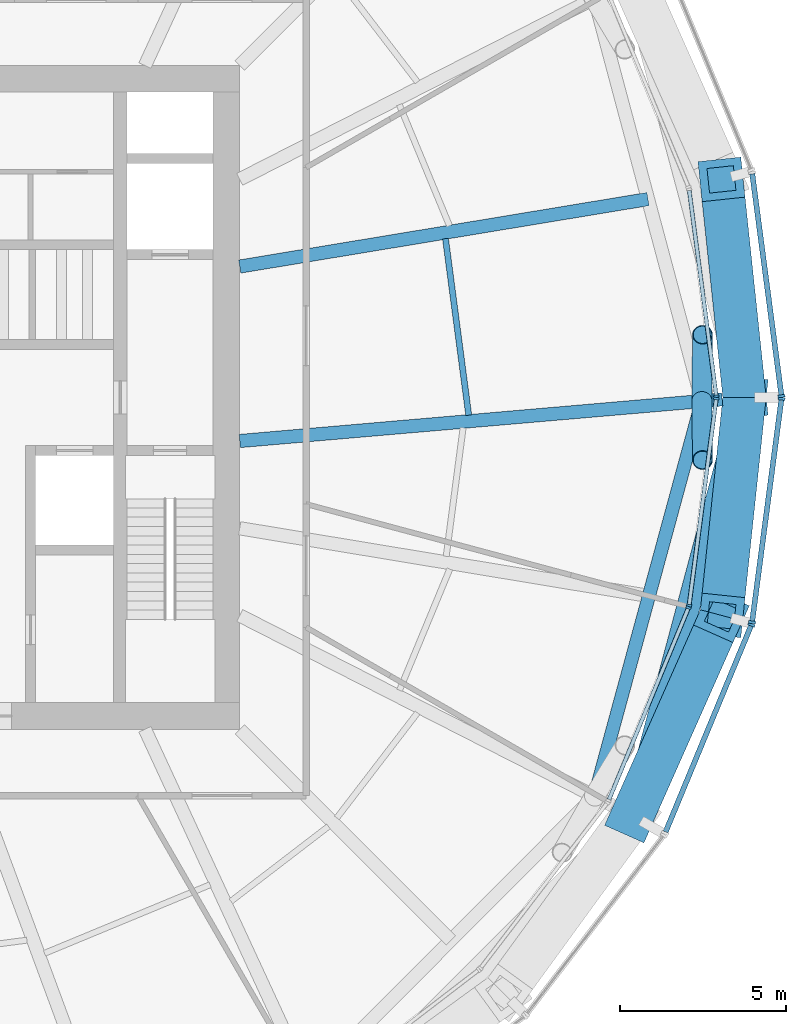
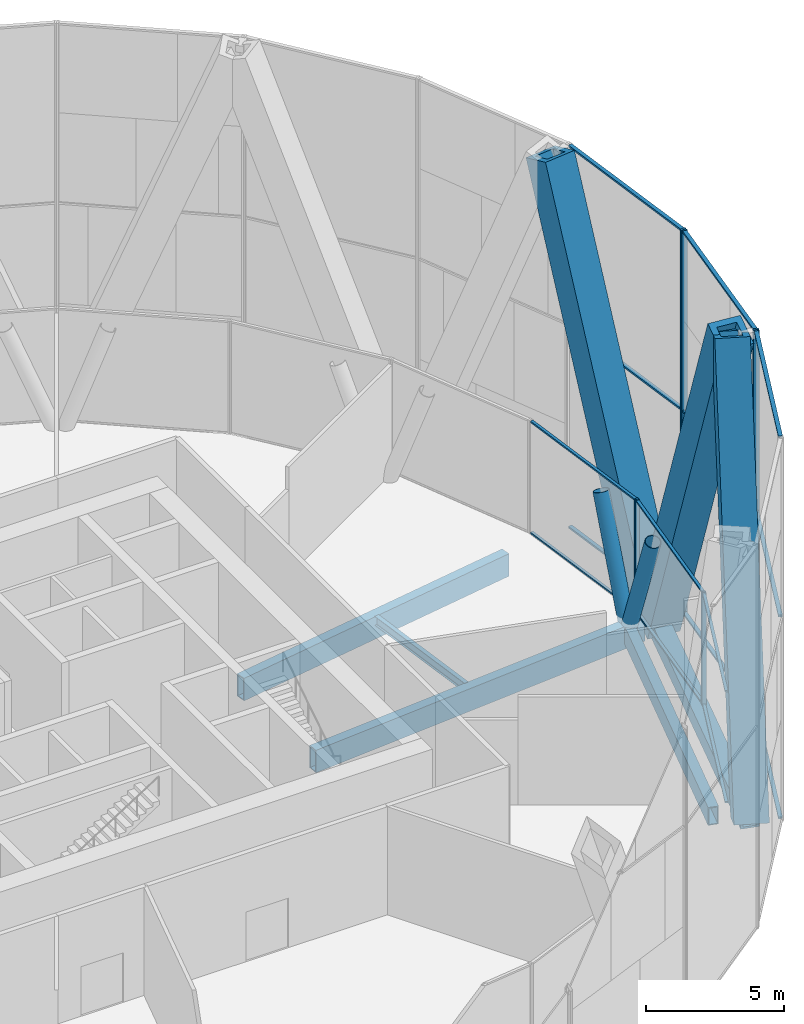
# One storey, part 5 of 16: 28 members, 5 beams, 6 elements without a shape of their own.
"""IFC4 building model written with IfcOpenShell, lengths in metres."""

from ifc_helpers import new_model, si_unit, direction, frame, origin, origin_2d, place, context, subcontext, project, spatial, rectangle, hollow_rectangle, hollow_circle, i_section, extrude, material, material_profile, profile_set, type_object, element, aggregate, save


model = new_model("IFC4")

# Units and contexts
model_context = context("Model", 3, precision=1e-05, world=origin(), true_north=direction((0.0, 1.0)))
body_context = subcontext(model_context, "Body", "Model", "MODEL_VIEW")
ifc_project = project(units=[si_unit("LENGTHUNIT", "METRE"), si_unit("AREAUNIT", "SQUARE_METRE"), si_unit("VOLUMEUNIT", "CUBIC_METRE"), si_unit("PLANEANGLEUNIT", "RADIAN"), si_unit("MASSUNIT", "GRAM", prefix="KILO")], contexts=[model_context])

# Site, building, storey
site_placement = place(None, origin())
site = spatial("IfcSite", under=ifc_project, at=site_placement, CompositionType="ELEMENT")
building_placement = place(site_placement, origin())
building = spatial("IfcBuilding", under=site, at=building_placement, Name="Golbaran Civic Tower", CompositionType="ELEMENT")
storey_placement = place(building_placement, frame((0.0, 0.0, 85.0)))
storey = spatial("IfcBuildingStorey", under=building, at=storey_placement, Name="L20", CompositionType="ELEMENT", Elevation=85.0)

# Members
ifc_material_1 = material(Name="Steel S355", Category="steel")
ifc_material_profile_1 = material_profile(ifc_material_1, hollow_circle(Radius=0.304931640625, WallThickness=0.02490234375, at=origin_2d()), Name="CHS 610.0x25")
ifc_profile_set_1 = profile_set([ifc_material_profile_1], Name="Steel S355")
member_type_1 = type_object("IfcMemberType", Name="BELT TRUSS DIAGONAL CHS 610.0x25", PredefinedType="BRACE", material=ifc_profile_set_1)
member_1_placement = place(storey_placement, frame((23.92724609375, -0.11083984375, -0.60009765625), z_axis=(0.003717695693, 0.371270854032, 0.928517168223), x_axis=(-0.999949869353, 0.010012930674, 0.0)))
element("IfcMember", 1, at=member_1_placement, inside=storey, type_object=member_type_1, Name="Belt truss diagonal 0.00R L20", PredefinedType="BRACE", context=body_context, shape_type="SweptSolid", body=[
    extrude(hollow_circle(Radius=0.304931640625, WallThickness=0.02490234375, at=origin_2d()), origin(), (0.0, 0.0, 1.0), 5.385009765625),
])
member_2_placement = place(storey_placement, frame((23.92724609375, -0.11083984375, -0.60009765625), z_axis=(0.003772557663, -0.334975516414, 0.942219279792), x_axis=(0.999936587579, 0.011261475097, 0.0)))
element("IfcMember", 2, at=member_2_placement, inside=storey, type_object=member_type_1, Name="Belt truss diagonal 0.00L L20", PredefinedType="BRACE", context=body_context, shape_type="SweptSolid", body=[
    extrude(hollow_circle(Radius=0.304931640625, WallThickness=0.02490234375, at=origin_2d()), origin(), (0.0, 0.0, 1.0), 5.306640625),
])
ifc_material_profile_2 = material_profile(ifc_material_1, hollow_rectangle(XDim=1.300048828125, YDim=1.300048828125, WallThickness=0.25, at=origin_2d()), Name="BOX 1300x1300x250")
ifc_profile_set_2 = profile_set([ifc_material_profile_2], Name="Steel S355")
member_type_2 = type_object("IfcMemberType", Name="DIAGRID DIAGONAL BOX 1300x1300x250", PredefinedType="BRACE", material=ifc_profile_set_2)
for number, where, z_axis, x_axis, name in (
    (3, (25.2109375, 0.0, -0.7099609375), (-0.038096974541, 0.360181059018, 0.932104192274), (-0.994452673373, -0.105184981916, 0.0), "Diagonal D04-00R L20-L24"),
    (4, (25.2109375, 0.0, -0.7099609375), (-0.038096974541, -0.360181059018, 0.932104192274), (0.994452673373, -0.105184981916, 0.0), "Diagonal D04-00L L20-L24"),
    (5, (21.833251953125, -12.60546875, -0.7099609375), (0.14710040459, 0.330972563789, 0.932104410991), (-0.913810024533, 0.406141895231, 0.0), "Diagonal D04-11R L20-L24"),
):
    element("IfcMember", number, at=place(storey_placement, frame(where, z_axis=z_axis, x_axis=x_axis)), inside=storey, type_object=member_type_2, Name=name, PredefinedType="BRACE", context=body_context, shape_type="SweptSolid", body=[
        extrude(hollow_rectangle(XDim=1.300048828125, YDim=1.300048828125, WallThickness=0.25, at=origin_2d()), origin(), (0.0, 0.0, 1.0), 18.23828125),
    ])

# Beams
ifc_material_profile_3 = material_profile(ifc_material_1, hollow_rectangle(XDim=0.699951171875, YDim=0.699951171875, WallThickness=0.080078125, at=origin_2d()), Name="BOX 700x700x80")
ifc_profile_set_3 = profile_set([ifc_material_profile_3], Name="Steel S355")
beam_type_1 = type_object("IfcBeamType", Name="DIAGRID RING TIE BOX 700x700x80", PredefinedType="BEAM", material=ifc_profile_set_3)
beam_1_placement = place(storey_placement, frame((21.833251953125, -12.60546875, -0.7099609375), z_axis=(0.258823361579, 0.965924669682, 0.0), x_axis=(-0.965924669682, 0.258823361579, 0.0)))
element("IfcBeam", 6, at=beam_1_placement, inside=storey, type_object=beam_type_1, Name="Ring tie 330.00 L20", PredefinedType="BEAM", context=body_context, shape_type="SweptSolid", body=[
    extrude(hollow_rectangle(XDim=0.699951171875, YDim=0.699951171875, WallThickness=0.080078125, at=origin_2d()), origin(), (0.0, 0.0, 1.0), 13.050048828125),
])
ifc_material_profile_4 = material_profile(ifc_material_1, hollow_rectangle(XDim=0.39990234375, YDim=0.800048828125, WallThickness=0.0400390625, at=origin_2d()), Name="BOX 800x400x40")
ifc_profile_set_4 = profile_set([ifc_material_profile_4], Name="Steel S355")
beam_type_2 = type_object("IfcBeamType", Name="EDGE BEAM BOX 800x400x40", PredefinedType="BEAM", material=ifc_profile_set_4)
beam_2_placement = place(storey_placement, frame((20.736572265625, -11.84423828125, -0.60009765625), z_axis=(0.262404434499, 0.964957984969, 0.0), x_axis=(-0.964957984969, 0.262404434499, 0.0)))
element("IfcBeam", 7, at=beam_2_placement, inside=storey, type_object=beam_type_2, Name="Edge beam 330.00 L20", PredefinedType="BEAM", context=body_context, shape_type="SweptSolid", body=[
    extrude(hollow_rectangle(XDim=0.39990234375, YDim=0.800048828125, WallThickness=0.0400390625, at=origin_2d()), origin(), (0.0, 0.0, 1.0), 11.9677734375),
])
ifc_material_profile_5 = material_profile(ifc_material_1, i_section(OverallWidth=0.179931640625, OverallDepth=0.39990234375, WebThickness=0.008544921875, FlangeThickness=0.013427734375, FilletRadius=0.02099609375, at=origin_2d()), Name="IPE 400")
ifc_profile_set_5 = profile_set([ifc_material_profile_5], Name="Steel S355")
beam_type_3 = type_object("IfcBeamType", Name="FLOOR INFILL BEAM IPE 400", PredefinedType="BEAM", material=ifc_profile_set_5)
beam_3_placement = place(storey_placement, frame((16.900634765625, -0.537353515625, -0.39990234375), z_axis=(-0.130525099316, 0.991445005257, 0.0), x_axis=(-0.991445005257, -0.130525099316, 0.0)))
element("IfcBeam", 8, at=beam_3_placement, inside=storey, type_object=beam_type_3, Name="Infill beam 7.50 L20", PredefinedType="BEAM", context=body_context, shape_type="SweptSolid", body=[
    extrude(i_section(OverallWidth=0.179931640625, OverallDepth=0.39990234375, WebThickness=0.008544921875, FlangeThickness=0.013427734375, FilletRadius=0.02099609375, at=origin_2d()), origin(), (0.0, 0.0, 1.0), 5.3681640625),
])

# Curtain wall, member
ifc_material_2 = material(Name="Aluminium and glass", Category="aluminium")
curtain_wall_type_1 = type_object("IfcCurtainWallType", Name="OUTER SKIN TERRACOTTA SCREEN", PredefinedType="NOTDEFINED", material=ifc_material_2)
curtain_wall_1_placement = place(storey_placement, origin())
curtain_wall_1 = element("IfcCurtainWall", 9, at=curtain_wall_1_placement, inside=storey, type_object=curtain_wall_type_1, Name="Outer skin L20 facet 1 CW3", ObjectType="OUTER SKIN", PredefinedType="USERDEFINED")
ifc_material_3 = material(Name="Aluminium", Category="aluminium")
ifc_material_profile_6 = material_profile(ifc_material_3, rectangle(XDim=0.219970703125, YDim=0.080078125, at=origin_2d()), Name="OUTER SKIN TERRACOTTA SCREEN MULLION")
ifc_profile_set_6 = profile_set([ifc_material_profile_6], Name="Aluminium")
member_type_3 = type_object("IfcMemberType", Name="OUTER SKIN TERRACOTTA SCREEN MULLION", PredefinedType="MULLION", material=ifc_profile_set_6)
member_3_placement = place(storey_placement, frame((26.32568359375, 0.03955078125, -0.7099609375), z_axis=(0.0, 0.0, 1.0), x_axis=(-0.991444861374, -0.13052619222, 0.0)))
member_3 = element("IfcMember", 10, at=member_3_placement, type_object=member_type_3, Name="CW3 mullion 1", PredefinedType="MULLION", context=body_context, shape_type="SweptSolid", body=[
    extrude(rectangle(XDim=0.219970703125, YDim=0.080078125, at=origin_2d()), origin(), (0.0, 0.0, 1.0), 17.0),
])

curtain_wall_2_placement = place(storey_placement, origin())
curtain_wall_2 = element("IfcCurtainWall", 11, at=curtain_wall_2_placement, inside=storey, type_object=curtain_wall_type_1, Name="Outer skin L20 facet 23 CW3", ObjectType="OUTER SKIN", PredefinedType="USERDEFINED")
member_4_placement = place(storey_placement, frame((25.41845703125, -6.851806640625, -0.7099609375), z_axis=(0.0, 0.0, 1.0), x_axis=(-0.923879532498, 0.382683432397, 0.0)))
member_4 = element("IfcMember", 12, at=member_4_placement, type_object=member_type_3, Name="CW3 mullion 2", PredefinedType="MULLION", context=body_context, shape_type="SweptSolid", body=[
    extrude(rectangle(XDim=0.219970703125, YDim=0.080078125, at=origin_2d()), origin(), (0.0, 0.0, 1.0), 17.0),
])

# Curtain wall, members
curtain_wall_3_placement = place(storey_placement, origin())
curtain_wall_3 = element("IfcCurtainWall", 13, at=curtain_wall_3_placement, inside=storey, type_object=curtain_wall_type_1, Name="Outer skin L20 facet 24 CW3", ObjectType="OUTER SKIN", PredefinedType="USERDEFINED")
member_5_placement = place(storey_placement, frame((25.43896484375, -6.775390625, -0.7099609375), z_axis=(0.0, 0.0, 1.0), x_axis=(-0.991444861374, 0.13052619222, 0.0)))
member_5 = element("IfcMember", 14, at=member_5_placement, type_object=member_type_3, Name="CW3 mullion 1", PredefinedType="MULLION", context=body_context, shape_type="SweptSolid", body=[
    extrude(rectangle(XDim=0.219970703125, YDim=0.080078125, at=origin_2d()), origin(), (0.0, 0.0, 1.0), 17.0),
])
member_6_placement = place(storey_placement, frame((26.32568359375, -0.03955078125, -0.7099609375), z_axis=(0.0, 0.0, 1.0), x_axis=(-0.991444861374, 0.13052619222, 0.0)))
member_6 = element("IfcMember", 15, at=member_6_placement, type_object=member_type_3, Name="CW3 mullion 2", PredefinedType="MULLION", context=body_context, shape_type="SweptSolid", body=[
    extrude(rectangle(XDim=0.219970703125, YDim=0.080078125, at=origin_2d()), origin(), (0.0, 0.0, 1.0), 17.0),
])

# Member
ifc_material_profile_7 = material_profile(ifc_material_3, rectangle(XDim=0.159912109375, YDim=0.080078125, at=origin_2d()), Name="OUTER SKIN TERRACOTTA SCREEN TRANSOM")
ifc_profile_set_7 = profile_set([ifc_material_profile_7], Name="Aluminium")
member_type_4 = type_object("IfcMemberType", Name="OUTER SKIN TERRACOTTA SCREEN TRANSOM", PredefinedType="USERDEFINED", material=ifc_profile_set_7)
member_7_placement = place(storey_placement, frame((26.320556640625, 0.079345703125, -0.669921875), z_axis=(-0.130512834459, 0.991446619865, 0.0), x_axis=(-0.991446619865, -0.130512834459, 0.0)))
member_7 = element("IfcMember", 16, at=member_7_placement, type_object=member_type_4, Name="CW3 transom 1.1", ObjectType="TRANSOM", PredefinedType="USERDEFINED", context=body_context, shape_type="SweptSolid", body=[
    extrude(rectangle(XDim=0.159912109375, YDim=0.080078125, at=origin_2d()), origin(), (0.0, 0.0, 1.0), 6.713623046875),
])

member_8_placement = place(storey_placement, frame((26.320556640625, 0.079345703125, 8.2900390625), z_axis=(-0.130512834459, 0.991446619865, 0.0), x_axis=(-0.991446619865, -0.130512834459, 0.0)))
member_8 = element("IfcMember", 17, at=member_8_placement, type_object=member_type_4, Name="CW3 transom 1.2", ObjectType="TRANSOM", PredefinedType="USERDEFINED", context=body_context, shape_type="SweptSolid", body=[
    extrude(rectangle(XDim=0.159912109375, YDim=0.080078125, at=origin_2d()), origin(), (0.0, 0.0, 1.0), 6.713623046875),
])

member_9_placement = place(storey_placement, frame((26.320556640625, 0.079345703125, 16.25), z_axis=(-0.130512834459, 0.991446619865, 0.0), x_axis=(-0.991446619865, -0.130512834459, 0.0)))
member_9 = element("IfcMember", 18, at=member_9_placement, type_object=member_type_4, Name="CW3 transom 1.3", ObjectType="TRANSOM", PredefinedType="USERDEFINED", context=body_context, shape_type="SweptSolid", body=[
    extrude(rectangle(XDim=0.159912109375, YDim=0.080078125, at=origin_2d()), origin(), (0.0, 0.0, 1.0), 6.713623046875),
])

aggregate(curtain_wall_1, [member_3, member_7, member_8, member_9])

member_10_placement = place(storey_placement, frame((22.833984375, -13.091552734375, -0.669921875), z_axis=(0.382667609507, 0.923886086395, 0.0), x_axis=(-0.923886086395, 0.382667609507, 0.0)))
member_10 = element("IfcMember", 19, at=member_10_placement, type_object=member_type_4, Name="CW3 transom 1.1", ObjectType="TRANSOM", PredefinedType="USERDEFINED", context=body_context, shape_type="SweptSolid", body=[
    extrude(rectangle(XDim=0.159912109375, YDim=0.080078125, at=origin_2d()), origin(), (0.0, 0.0, 1.0), 6.713623046875),
])

member_11_placement = place(storey_placement, frame((22.833984375, -13.091552734375, 8.2900390625), z_axis=(0.382667609507, 0.923886086395, 0.0), x_axis=(-0.923886086395, 0.382667609507, 0.0)))
member_11 = element("IfcMember", 20, at=member_11_placement, type_object=member_type_4, Name="CW3 transom 1.2", ObjectType="TRANSOM", PredefinedType="USERDEFINED", context=body_context, shape_type="SweptSolid", body=[
    extrude(rectangle(XDim=0.159912109375, YDim=0.080078125, at=origin_2d()), origin(), (0.0, 0.0, 1.0), 6.713623046875),
])

member_12_placement = place(storey_placement, frame((22.833984375, -13.091552734375, 16.25), z_axis=(0.382667609507, 0.923886086395, 0.0), x_axis=(-0.923886086395, 0.382667609507, 0.0)))
member_12 = element("IfcMember", 21, at=member_12_placement, type_object=member_type_4, Name="CW3 transom 1.3", ObjectType="TRANSOM", PredefinedType="USERDEFINED", context=body_context, shape_type="SweptSolid", body=[
    extrude(rectangle(XDim=0.159912109375, YDim=0.080078125, at=origin_2d()), origin(), (0.0, 0.0, 1.0), 6.713623046875),
])

aggregate(curtain_wall_2, [member_4, member_10, member_11, member_12])

member_13_placement = place(storey_placement, frame((25.4443359375, -6.735595703125, -0.669921875), z_axis=(0.130512834459, 0.991446619865, 0.0), x_axis=(-0.991446619865, 0.130512834459, 0.0)))
member_13 = element("IfcMember", 22, at=member_13_placement, type_object=member_type_4, Name="CW3 transom 1.1", ObjectType="TRANSOM", PredefinedType="USERDEFINED", context=body_context, shape_type="SweptSolid", body=[
    extrude(rectangle(XDim=0.159912109375, YDim=0.080078125, at=origin_2d()), origin(), (0.0, 0.0, 1.0), 6.713623046875),
])

member_14_placement = place(storey_placement, frame((25.4443359375, -6.735595703125, 8.2900390625), z_axis=(0.130512834459, 0.991446619865, 0.0), x_axis=(-0.991446619865, 0.130512834459, 0.0)))
member_14 = element("IfcMember", 23, at=member_14_placement, type_object=member_type_4, Name="CW3 transom 1.2", ObjectType="TRANSOM", PredefinedType="USERDEFINED", context=body_context, shape_type="SweptSolid", body=[
    extrude(rectangle(XDim=0.159912109375, YDim=0.080078125, at=origin_2d()), origin(), (0.0, 0.0, 1.0), 6.713623046875),
])

member_15_placement = place(storey_placement, frame((25.4443359375, -6.735595703125, 16.25), z_axis=(0.130512834459, 0.991446619865, 0.0), x_axis=(-0.991446619865, 0.130512834459, 0.0)))
member_15 = element("IfcMember", 24, at=member_15_placement, type_object=member_type_4, Name="CW3 transom 1.3", ObjectType="TRANSOM", PredefinedType="USERDEFINED", context=body_context, shape_type="SweptSolid", body=[
    extrude(rectangle(XDim=0.159912109375, YDim=0.080078125, at=origin_2d()), origin(), (0.0, 0.0, 1.0), 6.713623046875),
])

aggregate(curtain_wall_3, [member_5, member_6, member_13, member_14, member_15])

# Curtain wall, member
curtain_wall_type_2 = type_object("IfcCurtainWallType", Name="PLANT FLOOR LOUVRE WALL", PredefinedType="NOTDEFINED", material=ifc_material_2)
curtain_wall_4_placement = place(storey_placement, origin())
curtain_wall_4 = element("IfcCurtainWall", 25, at=curtain_wall_4_placement, inside=storey, type_object=curtain_wall_type_2, Name="Inner skin L20 facet 1 CW6", ObjectType="PLANT LOUVRE WALL", PredefinedType="USERDEFINED")
ifc_material_profile_8 = material_profile(ifc_material_3, rectangle(XDim=0.159912109375, YDim=0.070068359375, at=origin_2d()), Name="PLANT FLOOR LOUVRE WALL MULLION")
ifc_profile_set_8 = profile_set([ifc_material_profile_8], Name="Aluminium")
member_type_5 = type_object("IfcMemberType", Name="PLANT FLOOR LOUVRE WALL MULLION", PredefinedType="MULLION", material=ifc_profile_set_8)
member_16_placement = place(storey_placement, frame((24.361328125, 0.03466796875, 0.0), z_axis=(0.0, 0.0, 1.0), x_axis=(-0.991444861367, -0.130526192272, 0.0)))
member_16 = element("IfcMember", 26, at=member_16_placement, type_object=member_type_5, Name="CW6 mullion 1", PredefinedType="MULLION", context=body_context, shape_type="SweptSolid", body=[
    extrude(rectangle(XDim=0.159912109375, YDim=0.070068359375, at=origin_2d()), origin(), (0.0, 0.0, 1.0), 5.0),
])

curtain_wall_5_placement = place(storey_placement, origin())
curtain_wall_5 = element("IfcCurtainWall", 27, at=curtain_wall_5_placement, inside=storey, type_object=curtain_wall_type_2, Name="Inner skin L20 facet 23 CW6", ObjectType="PLANT LOUVRE WALL", PredefinedType="USERDEFINED")
member_17_placement = place(storey_placement, frame((23.5224609375, -6.338623046875, 0.0), z_axis=(0.0, 0.0, 1.0), x_axis=(-0.923879532551, 0.382683432268, 0.0)))
member_17 = element("IfcMember", 28, at=member_17_placement, type_object=member_type_5, Name="CW6 mullion 2", PredefinedType="MULLION", context=body_context, shape_type="SweptSolid", body=[
    extrude(rectangle(XDim=0.159912109375, YDim=0.070068359375, at=origin_2d()), origin(), (0.0, 0.0, 1.0), 5.0),
])

# Curtain wall, members
curtain_wall_6_placement = place(storey_placement, origin())
curtain_wall_6 = element("IfcCurtainWall", 29, at=curtain_wall_6_placement, inside=storey, type_object=curtain_wall_type_2, Name="Inner skin L20 facet 24 CW6", ObjectType="PLANT LOUVRE WALL", PredefinedType="USERDEFINED")
member_18_placement = place(storey_placement, frame((23.540283203125, -6.271728515625, 0.0), z_axis=(0.0, 0.0, 1.0), x_axis=(-0.991444861367, 0.130526192272, 0.0)))
member_18 = element("IfcMember", 30, at=member_18_placement, type_object=member_type_5, Name="CW6 mullion 1", PredefinedType="MULLION", context=body_context, shape_type="SweptSolid", body=[
    extrude(rectangle(XDim=0.159912109375, YDim=0.070068359375, at=origin_2d()), origin(), (0.0, 0.0, 1.0), 5.0),
])
member_19_placement = place(storey_placement, frame((24.361328125, -0.03466796875, 0.0), z_axis=(0.0, 0.0, 1.0), x_axis=(-0.991444861367, 0.130526192272, 0.0)))
member_19 = element("IfcMember", 31, at=member_19_placement, type_object=member_type_5, Name="CW6 mullion 2", PredefinedType="MULLION", context=body_context, shape_type="SweptSolid", body=[
    extrude(rectangle(XDim=0.159912109375, YDim=0.070068359375, at=origin_2d()), origin(), (0.0, 0.0, 1.0), 5.0),
])

# Member
ifc_material_profile_9 = material_profile(ifc_material_3, rectangle(XDim=0.1201171875, YDim=0.070068359375, at=origin_2d()), Name="PLANT FLOOR LOUVRE WALL TRANSOM")
ifc_profile_set_9 = profile_set([ifc_material_profile_9], Name="Aluminium")
member_type_6 = type_object("IfcMemberType", Name="PLANT FLOOR LOUVRE WALL TRANSOM", PredefinedType="USERDEFINED", material=ifc_profile_set_9)
member_20_placement = place(storey_placement, frame((24.35693359375, 0.0693359375, 0.034912109375), z_axis=(-0.130528620731, 0.991444541651, 0.0), x_axis=(-0.991444541651, -0.130528620731, 0.0)))
member_20 = element("IfcMember", 32, at=member_20_placement, type_object=member_type_6, Name="CW6 transom 1.1", ObjectType="TRANSOM", PredefinedType="USERDEFINED", context=body_context, shape_type="SweptSolid", body=[
    extrude(rectangle(XDim=0.1201171875, YDim=0.070068359375, at=origin_2d()), origin(), (0.0, 0.0, 1.0), 6.220947265625),
])

member_21_placement = place(storey_placement, frame((24.35693359375, 0.0693359375, 4.965087890625), z_axis=(-0.130528620731, 0.991444541651, 0.0), x_axis=(-0.991444541651, -0.130528620731, 0.0)))
member_21 = element("IfcMember", 33, at=member_21_placement, type_object=member_type_6, Name="CW6 transom 1.2", ObjectType="TRANSOM", PredefinedType="USERDEFINED", context=body_context, shape_type="SweptSolid", body=[
    extrude(rectangle(XDim=0.1201171875, YDim=0.070068359375, at=origin_2d()), origin(), (0.0, 0.0, 1.0), 6.220947265625),
])

aggregate(curtain_wall_4, [member_16, member_20, member_21])

member_22_placement = place(storey_placement, frame((21.12841796875, -12.118408203125, 0.034912109375), z_axis=(0.382683383062, 0.923879552933, 0.0), x_axis=(-0.923879552933, 0.382683383062, 0.0)))
member_22 = element("IfcMember", 34, at=member_22_placement, type_object=member_type_6, Name="CW6 transom 1.1", ObjectType="TRANSOM", PredefinedType="USERDEFINED", context=body_context, shape_type="SweptSolid", body=[
    extrude(rectangle(XDim=0.1201171875, YDim=0.070068359375, at=origin_2d()), origin(), (0.0, 0.0, 1.0), 6.220947265625),
])

member_23_placement = place(storey_placement, frame((21.12841796875, -12.118408203125, 4.965087890625), z_axis=(0.382683383062, 0.923879552933, 0.0), x_axis=(-0.923879552933, 0.382683383062, 0.0)))
member_23 = element("IfcMember", 35, at=member_23_placement, type_object=member_type_6, Name="CW6 transom 1.2", ObjectType="TRANSOM", PredefinedType="USERDEFINED", context=body_context, shape_type="SweptSolid", body=[
    extrude(rectangle(XDim=0.1201171875, YDim=0.070068359375, at=origin_2d()), origin(), (0.0, 0.0, 1.0), 6.220947265625),
])

aggregate(curtain_wall_5, [member_17, member_22, member_23])

member_24_placement = place(storey_placement, frame((23.544921875, -6.237060546875, 0.034912109375), z_axis=(0.130528620731, 0.991444541651, 0.0), x_axis=(-0.991444541651, 0.130528620731, 0.0)))
member_24 = element("IfcMember", 36, at=member_24_placement, type_object=member_type_6, Name="CW6 transom 1.1", ObjectType="TRANSOM", PredefinedType="USERDEFINED", context=body_context, shape_type="SweptSolid", body=[
    extrude(rectangle(XDim=0.1201171875, YDim=0.070068359375, at=origin_2d()), origin(), (0.0, 0.0, 1.0), 6.220947265625),
])

member_25_placement = place(storey_placement, frame((23.544921875, -6.237060546875, 4.965087890625), z_axis=(0.130528620731, 0.991444541651, 0.0), x_axis=(-0.991444541651, 0.130528620731, 0.0)))
member_25 = element("IfcMember", 37, at=member_25_placement, type_object=member_type_6, Name="CW6 transom 1.2", ObjectType="TRANSOM", PredefinedType="USERDEFINED", context=body_context, shape_type="SweptSolid", body=[
    extrude(rectangle(XDim=0.1201171875, YDim=0.070068359375, at=origin_2d()), origin(), (0.0, 0.0, 1.0), 6.220947265625),
])

aggregate(curtain_wall_6, [member_18, member_19, member_24, member_25])

# Beams
ifc_material_profile_10 = material_profile(ifc_material_1, hollow_rectangle(XDim=0.39990234375, YDim=1.0, WallThickness=0.0400390625, at=origin_2d()), Name="BOX 1000x400x40")
ifc_profile_set_10 = profile_set([ifc_material_profile_10], Name="Steel S355")
beam_type_4 = type_object("IfcBeamType", Name="RADIAL FLOOR BEAM BOX 1000x400x40", PredefinedType="BEAM", material=ifc_profile_set_10)
beam_4_placement = place(storey_placement, frame((10.0, -1.314208984375, -0.7099609375), z_axis=(0.996289079851, 0.086070142151, 0.0), x_axis=(-0.086070142151, 0.996289079851, 0.0)))
element("IfcBeam", 38, at=beam_4_placement, inside=storey, type_object=beam_type_4, Name="Radial beam 0.00 L20", PredefinedType="BEAM", context=body_context, shape_type="SweptSolid", body=[
    extrude(hollow_rectangle(XDim=0.39990234375, YDim=1.0, WallThickness=0.0400390625, at=origin_2d()), origin(), (0.0, 0.0, 1.0), 14.593994140625),
])
ifc_material_profile_11 = material_profile(ifc_material_1, hollow_rectangle(XDim=0.39990234375, YDim=1.0, WallThickness=0.0400390625, at=origin_2d()), Name="BOX 1000x400x40")
ifc_profile_set_11 = profile_set([ifc_material_profile_11], Name="Steel S355")
beam_type_5 = type_object("IfcBeamType", Name="SECONDARY FLOOR BEAM BOX 1000x400x40", PredefinedType="BEAM", material=ifc_profile_set_11)
beam_5_placement = place(storey_placement, frame((10.0, 3.94287109375, -0.7099609375), z_axis=(0.986619476877, 0.163039896487, 0.0), x_axis=(-0.163039896487, 0.986619476877, 0.0)))
element("IfcBeam", 39, at=beam_5_placement, inside=storey, type_object=beam_type_5, Name="Secondary beam 15.00 L20", PredefinedType="BEAM", context=body_context, shape_type="SweptSolid", body=[
    extrude(hollow_rectangle(XDim=0.39990234375, YDim=1.0, WallThickness=0.0400390625, at=origin_2d()), origin(), (0.0, 0.0, 1.0), 12.468994140625),
])

save(model, "model.ifc")
